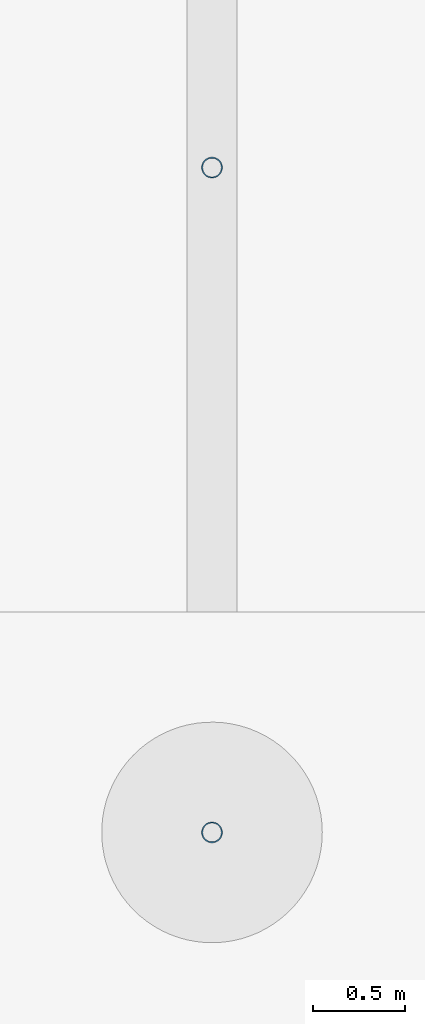
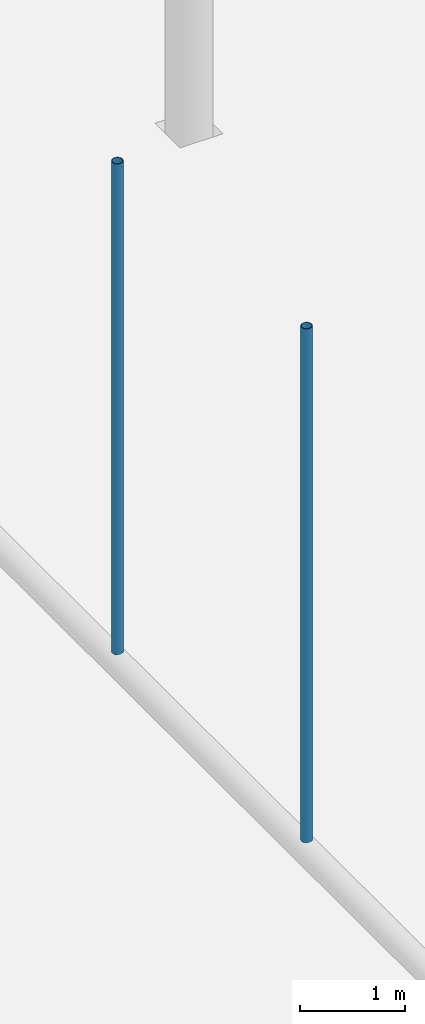
# One storey, part 50 of 212: 2 members.
"""IFC4 building model written with IfcOpenShell, lengths in metres."""

from ifc_helpers import new_model, si_unit, direction, frame, origin, origin_2d, place, context, subcontext, project, spatial, hollow_circle, extrude, material, material_profile, profile_set, type_object, element, save


model = new_model("IFC4")

# Units and contexts
model_context = context("Model", 3, precision=1e-05, world=origin(), true_north=direction((0.0, 1.0)))
body_context = subcontext(model_context, "Body", "Model", "MODEL_VIEW")
ifc_project = project(units=[si_unit("LENGTHUNIT", "METRE"), si_unit("AREAUNIT", "SQUARE_METRE"), si_unit("VOLUMEUNIT", "CUBIC_METRE"), si_unit("PLANEANGLEUNIT", "RADIAN"), si_unit("MASSUNIT", "GRAM", prefix="KILO")], contexts=[model_context])

# Site, building, storey
site_placement = place(None, origin())
site = spatial("IfcSite", under=ifc_project, at=site_placement, CompositionType="ELEMENT")
building_placement = place(site_placement, origin())
building = spatial("IfcBuilding", under=site, at=building_placement, Name="Catenary Quay Ferry Terminal", CompositionType="ELEMENT")
storey_placement = place(building_placement, origin())
storey = spatial("IfcBuildingStorey", under=building, at=storey_placement, Name="L00", CompositionType="ELEMENT", Elevation=0.0)

# Members
ifc_material = material(Name="Steel S355", Category="steel")
ifc_material_profile = material_profile(ifc_material, hollow_circle(Radius=0.05712890625, WallThickness=0.00634765625, at=origin_2d()), Name="CHS 114.3x6.3")
ifc_profile_set = profile_set([ifc_material_profile], Name="Steel S355")
member_type = type_object("IfcMemberType", Name="HG1 CHS 114.3x6.3", PredefinedType="POST", material=ifc_profile_set)
member_1_placement = place(storey_placement, frame((33.60009765625, 33.60009765625, 4.830078125), z_axis=(0.0, 0.0, 1.0), x_axis=(1.0, 0.0, 0.0)))
element("IfcMember", 1, at=member_1_placement, inside=storey, type_object=member_type, Name="Hanger CA-03-05", PredefinedType="POST", context=body_context, shape_type="SweptSolid", body=[
    extrude(hollow_circle(Radius=0.05712890625, WallThickness=0.00634765625, at=origin_2d()), origin(), (0.0, 0.0, 1.0), 5.997802734375),
])
member_2_placement = place(storey_placement, frame((33.60009765625, 37.218017578125, 4.830078125), z_axis=(0.0, 0.0, 1.0), x_axis=(1.0, 0.0, 0.0)))
element("IfcMember", 2, at=member_2_placement, inside=storey, type_object=member_type, Name="Hanger CA-03-06", PredefinedType="POST", context=body_context, shape_type="SweptSolid", body=[
    extrude(hollow_circle(Radius=0.05712890625, WallThickness=0.00634765625, at=origin_2d()), origin(), (0.0, 0.0, 1.0), 5.72998046875),
])

save(model, "model.ifc")
